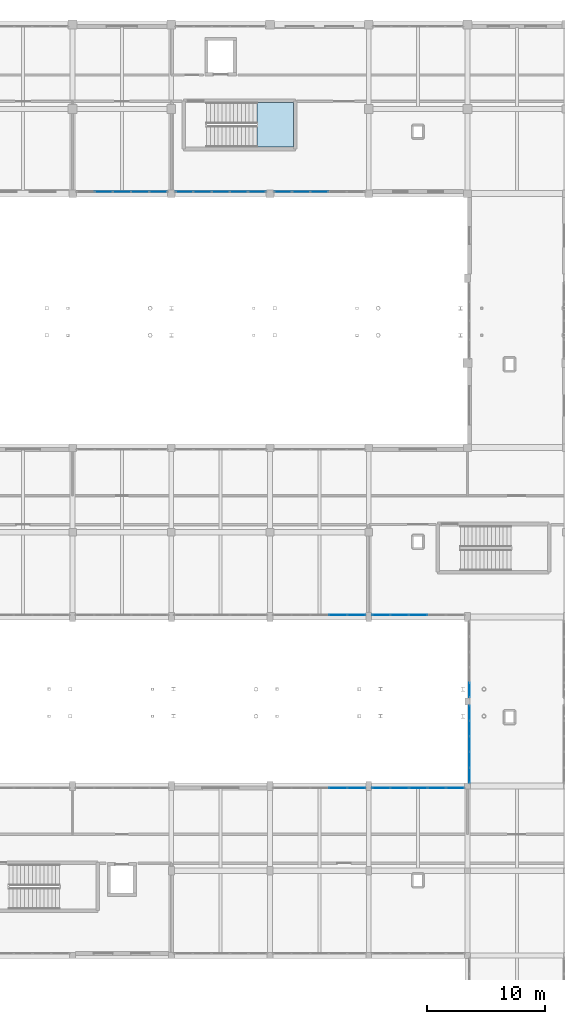
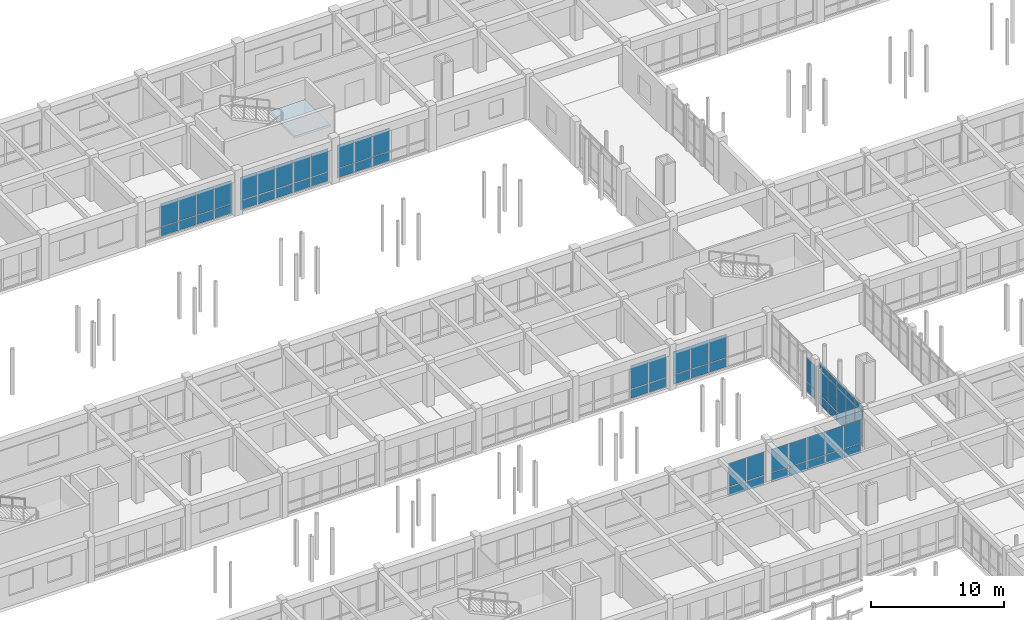
# One storey, part 109 of 147: 65 plates, 1 slab, 10 elements without a shape of their own.
"""IFC4 building model written with IfcOpenShell, lengths in metres."""

from ifc_helpers import new_model, si_unit, direction, frame, origin, origin_2d, place, context, subcontext, project, spatial, polyline, rectangle, outline, extrude, material, layer, layer_set, type_object, element, aggregate, save


model = new_model("IFC4")

# Units and contexts
model_context = context("Model", 3, precision=1e-05, world=origin(), true_north=direction((0.0, 1.0)))
body_context = subcontext(model_context, "Body", "Model", "MODEL_VIEW")
ifc_project = project(units=[si_unit("LENGTHUNIT", "METRE"), si_unit("AREAUNIT", "SQUARE_METRE"), si_unit("VOLUMEUNIT", "CUBIC_METRE"), si_unit("PLANEANGLEUNIT", "RADIAN"), si_unit("MASSUNIT", "GRAM", prefix="KILO")], contexts=[model_context])

# Site, building, storey
site_placement = place(None, origin())
site = spatial("IfcSite", under=ifc_project, at=site_placement, CompositionType="ELEMENT")
building_placement = place(site_placement, origin())
building = spatial("IfcBuilding", under=site, at=building_placement, Name="Malvenik Polytechnic", CompositionType="ELEMENT")
storey_placement = place(building_placement, frame((0.0, 0.0, 5.10009765625)))
storey = spatial("IfcBuildingStorey", under=building, at=storey_placement, Name="L01", CompositionType="ELEMENT", Elevation=5.10009765625)

# Curtain wall, plates
ifc_material_1 = material(Name="Anodised aluminium 6060-T6", Category="aluminium")
curtain_wall_type_1 = type_object("IfcCurtainWallType", Name="ARC-CW-CW-04", PredefinedType="NOTDEFINED", material=ifc_material_1)
curtain_wall_1_placement = place(storey_placement, origin())
curtain_wall_1 = element("IfcCurtainWall", 1, at=curtain_wall_1_placement, inside=storey, type_object=curtain_wall_type_1, Name="Unitised Curtain Wall CW-04 L01 #23", PredefinedType="NOTDEFINED")
ifc_material_2 = material(Name="Insulated low-E double glazing 8-16-8", Category="glass")
ifc_layer_1 = layer(ifc_material_2, 0.028076171875)
ifc_layer_set_1 = layer_set([ifc_layer_1], Name="Insulated low-E double glazing 8-16-8")
plate_type_1 = type_object("IfcPlateType", Name="ARC-CWP-CP-GLZ28", PredefinedType="CURTAIN_PANEL", material=ifc_layer_set_1)
plate_1_placement = place(storey_placement, frame((75.77001953125, 65.728515625, 0.97998046875), z_axis=(0.0, 0.0, 1.0), x_axis=(0.0, 1.0, 0.0)))
plate_1 = element("IfcPlate", 2, at=plate_1_placement, type_object=plate_type_1, Name="CW-04 panel 1.2", PredefinedType="CURTAIN_PANEL", context=body_context, shape_type="SweptSolid", body=[
    extrude(rectangle(XDim=1.24072265625, YDim=0.028076171875, at=origin_2d()), origin(), (0.0, 0.0, 1.0), 2.199951171875),
])
plate_2_placement = place(storey_placement, frame((75.77001953125, 65.728515625, 3.239990234375), z_axis=(0.0, 0.0, 1.0), x_axis=(0.0, 1.0, 0.0)))
plate_2 = element("IfcPlate", 3, at=plate_2_placement, type_object=plate_type_1, Name="CW-04 panel 1.3", PredefinedType="CURTAIN_PANEL", context=body_context, shape_type="SweptSolid", body=[
    extrude(rectangle(XDim=1.24072265625, YDim=0.028076171875, at=origin_2d()), origin(), (0.0, 0.0, 1.0), 0.56005859375),
])
plate_3_placement = place(storey_placement, frame((75.77001953125, 67.044189453125, 0.97998046875), z_axis=(0.0, 0.0, 1.0), x_axis=(0.0, 1.0, 0.0)))
plate_3 = element("IfcPlate", 4, at=plate_3_placement, type_object=plate_type_1, Name="CW-04 panel 2.2", PredefinedType="CURTAIN_PANEL", context=body_context, shape_type="SweptSolid", body=[
    extrude(rectangle(XDim=1.270751953125, YDim=0.028076171875, at=origin_2d()), origin(), (0.0, 0.0, 1.0), 2.199951171875),
])
plate_4_placement = place(storey_placement, frame((75.77001953125, 67.044189453125, 3.239990234375), z_axis=(0.0, 0.0, 1.0), x_axis=(0.0, 1.0, 0.0)))
plate_4 = element("IfcPlate", 5, at=plate_4_placement, type_object=plate_type_1, Name="CW-04 panel 2.3", PredefinedType="CURTAIN_PANEL", context=body_context, shape_type="SweptSolid", body=[
    extrude(rectangle(XDim=1.270751953125, YDim=0.028076171875, at=origin_2d()), origin(), (0.0, 0.0, 1.0), 0.56005859375),
])
plate_5_placement = place(storey_placement, frame((75.77001953125, 68.375, 0.97998046875), z_axis=(0.0, 0.0, 1.0), x_axis=(0.0, 1.0, 0.0)))
plate_5 = element("IfcPlate", 6, at=plate_5_placement, type_object=plate_type_1, Name="CW-04 panel 3.2", PredefinedType="CURTAIN_PANEL", context=body_context, shape_type="SweptSolid", body=[
    extrude(rectangle(XDim=1.270751953125, YDim=0.028076171875, at=origin_2d()), origin(), (0.0, 0.0, 1.0), 2.199951171875),
])
plate_6_placement = place(storey_placement, frame((75.77001953125, 68.375, 3.239990234375), z_axis=(0.0, 0.0, 1.0), x_axis=(0.0, 1.0, 0.0)))
plate_6 = element("IfcPlate", 7, at=plate_6_placement, type_object=plate_type_1, Name="CW-04 panel 3.3", PredefinedType="CURTAIN_PANEL", context=body_context, shape_type="SweptSolid", body=[
    extrude(rectangle(XDim=1.270751953125, YDim=0.028076171875, at=origin_2d()), origin(), (0.0, 0.0, 1.0), 0.56005859375),
])
plate_7_placement = place(storey_placement, frame((75.77001953125, 69.705810546875, 0.97998046875), z_axis=(0.0, 0.0, 1.0), x_axis=(0.0, 1.0, 0.0)))
plate_7 = element("IfcPlate", 8, at=plate_7_placement, type_object=plate_type_1, Name="CW-04 panel 4.2", PredefinedType="CURTAIN_PANEL", context=body_context, shape_type="SweptSolid", body=[
    extrude(rectangle(XDim=1.270751953125, YDim=0.028076171875, at=origin_2d()), origin(), (0.0, 0.0, 1.0), 2.199951171875),
])
plate_8_placement = place(storey_placement, frame((75.77001953125, 69.705810546875, 3.239990234375), z_axis=(0.0, 0.0, 1.0), x_axis=(0.0, 1.0, 0.0)))
plate_8 = element("IfcPlate", 9, at=plate_8_placement, type_object=plate_type_1, Name="CW-04 panel 4.3", PredefinedType="CURTAIN_PANEL", context=body_context, shape_type="SweptSolid", body=[
    extrude(rectangle(XDim=1.270751953125, YDim=0.028076171875, at=origin_2d()), origin(), (0.0, 0.0, 1.0), 0.56005859375),
])
plate_9_placement = place(storey_placement, frame((75.77001953125, 71.021484375, 0.97998046875), z_axis=(0.0, 0.0, 1.0), x_axis=(0.0, 1.0, 0.0)))
plate_9 = element("IfcPlate", 10, at=plate_9_placement, type_object=plate_type_1, Name="CW-04 panel 5.2", PredefinedType="CURTAIN_PANEL", context=body_context, shape_type="SweptSolid", body=[
    extrude(rectangle(XDim=1.24072265625, YDim=0.028076171875, at=origin_2d()), origin(), (0.0, 0.0, 1.0), 2.199951171875),
])
plate_10_placement = place(storey_placement, frame((75.77001953125, 71.021484375, 3.239990234375), z_axis=(0.0, 0.0, 1.0), x_axis=(0.0, 1.0, 0.0)))
plate_10 = element("IfcPlate", 11, at=plate_10_placement, type_object=plate_type_1, Name="CW-04 panel 5.3", PredefinedType="CURTAIN_PANEL", context=body_context, shape_type="SweptSolid", body=[
    extrude(rectangle(XDim=1.24072265625, YDim=0.028076171875, at=origin_2d()), origin(), (0.0, 0.0, 1.0), 0.56005859375),
])

# Curtain wall, plate
curtain_wall_2_placement = place(storey_placement, origin())
curtain_wall_2 = element("IfcCurtainWall", 12, at=curtain_wall_2_placement, inside=storey, type_object=curtain_wall_type_1, Name="Unitised Curtain Wall CW-04 L01 #24", PredefinedType="NOTDEFINED")
plate_11_placement = place(storey_placement, frame((75.77001953125, 72.9658203125, 0.97998046875), z_axis=(0.0, 0.0, 1.0), x_axis=(0.0, 1.0, 0.0)))
plate_11 = element("IfcPlate", 13, at=plate_11_placement, type_object=plate_type_1, Name="CW-04 panel 1.2", PredefinedType="CURTAIN_PANEL", context=body_context, shape_type="SweptSolid", body=[
    extrude(rectangle(XDim=1.2158203125, YDim=0.028076171875, at=origin_2d()), origin(), (0.0, 0.0, 1.0), 2.199951171875),
])

# Curtain wall, plates
curtain_wall_type_2 = type_object("IfcCurtainWallType", Name="ARC-CW-CW-02", PredefinedType="NOTDEFINED", material=ifc_material_1)
curtain_wall_3_placement = place(storey_placement, origin())
curtain_wall_3 = element("IfcCurtainWall", 14, at=curtain_wall_3_placement, inside=storey, type_object=curtain_wall_type_2, Name="Unitised Curtain Wall CW-02 L01 #25", PredefinedType="NOTDEFINED")
plate_12_placement = place(storey_placement, frame((71.39990234375, 79.3701171875, 0.929931640625), z_axis=(0.0, 0.0, 1.0), x_axis=(-1.0, 0.0, 0.0)))
plate_12 = element("IfcPlate", 15, at=plate_12_placement, type_object=plate_type_1, Name="CW-02 panel 3.2", PredefinedType="CURTAIN_PANEL", context=body_context, shape_type="SweptSolid", body=[
    extrude(rectangle(XDim=1.520751953125, YDim=0.028076171875, at=origin_2d()), origin(), (0.0, 0.0, 1.0), 2.1201171875),
])
plate_13_placement = place(storey_placement, frame((69.819091796875, 79.3701171875, 0.929931640625), z_axis=(0.0, 0.0, 1.0), x_axis=(-1.0, 0.0, 0.0)))
plate_13 = element("IfcPlate", 16, at=plate_13_placement, type_object=plate_type_1, Name="CW-02 panel 4.2", PredefinedType="CURTAIN_PANEL", context=body_context, shape_type="SweptSolid", body=[
    extrude(rectangle(XDim=1.520751953125, YDim=0.028076171875, at=origin_2d()), origin(), (0.0, 0.0, 1.0), 2.1201171875),
])
plate_14_placement = place(storey_placement, frame((68.25341796875, 79.3701171875, 0.929931640625), z_axis=(0.0, 0.0, 1.0), x_axis=(-1.0, 0.0, 0.0)))
plate_14 = element("IfcPlate", 17, at=plate_14_placement, type_object=plate_type_1, Name="CW-02 panel 5.2", PredefinedType="CURTAIN_PANEL", context=body_context, shape_type="SweptSolid", body=[
    extrude(rectangle(XDim=1.49072265625, YDim=0.028076171875, at=origin_2d()), origin(), (0.0, 0.0, 1.0), 2.1201171875),
])

curtain_wall_4_placement = place(storey_placement, origin())
curtain_wall_4 = element("IfcCurtainWall", 18, at=curtain_wall_4_placement, inside=storey, type_object=curtain_wall_type_2, Name="Unitised Curtain Wall CW-02 L01 #26", PredefinedType="NOTDEFINED")
plate_15_placement = place(storey_placement, frame((66.146484375, 79.3701171875, 0.929931640625), z_axis=(0.0, 0.0, 1.0), x_axis=(-1.0, 0.0, 0.0)))
plate_15 = element("IfcPlate", 19, at=plate_15_placement, type_object=plate_type_1, Name="CW-02 panel 1.2", PredefinedType="CURTAIN_PANEL", context=body_context, shape_type="SweptSolid", body=[
    extrude(rectangle(XDim=1.49072265625, YDim=0.028076171875, at=origin_2d()), origin(), (0.0, 0.0, 1.0), 2.1201171875),
])
plate_16_placement = place(storey_placement, frame((64.580810546875, 79.3701171875, 0.929931640625), z_axis=(0.0, 0.0, 1.0), x_axis=(-1.0, 0.0, 0.0)))
plate_16 = element("IfcPlate", 20, at=plate_16_placement, type_object=plate_type_1, Name="CW-02 panel 2.2", PredefinedType="CURTAIN_PANEL", context=body_context, shape_type="SweptSolid", body=[
    extrude(rectangle(XDim=1.520751953125, YDim=0.028076171875, at=origin_2d()), origin(), (0.0, 0.0, 1.0), 2.1201171875),
])

curtain_wall_5_placement = place(storey_placement, origin())
curtain_wall_5 = element("IfcCurtainWall", 21, at=curtain_wall_5_placement, inside=storey, type_object=curtain_wall_type_2, Name="Unitised Curtain Wall CW-02 L01 #39", PredefinedType="NOTDEFINED")
plate_17_placement = place(storey_placement, frame((63.0, 115.3701171875, 0.929931640625), z_axis=(0.0, 0.0, 1.0), x_axis=(-1.0, 0.0, 0.0)))
plate_17 = element("IfcPlate", 22, at=plate_17_placement, type_object=plate_type_1, Name="CW-02 panel 3.2", PredefinedType="CURTAIN_PANEL", context=body_context, shape_type="SweptSolid", body=[
    extrude(rectangle(XDim=1.49072265625, YDim=0.028076171875, at=origin_2d()), origin(), (0.0, 0.0, 1.0), 2.1201171875),
])
plate_18_placement = place(storey_placement, frame((61.44921875, 115.3701171875, 0.929931640625), z_axis=(0.0, 0.0, 1.0), x_axis=(-1.0, 0.0, 0.0)))
plate_18 = element("IfcPlate", 23, at=plate_18_placement, type_object=plate_type_1, Name="CW-02 panel 4.2", PredefinedType="CURTAIN_PANEL", context=body_context, shape_type="SweptSolid", body=[
    extrude(rectangle(XDim=1.49072265625, YDim=0.028076171875, at=origin_2d()), origin(), (0.0, 0.0, 1.0), 2.1201171875),
])
plate_19_placement = place(storey_placement, frame((59.913330078125, 115.3701171875, 0.929931640625), z_axis=(0.0, 0.0, 1.0), x_axis=(-1.0, 0.0, 0.0)))
plate_19 = element("IfcPlate", 24, at=plate_19_placement, type_object=plate_type_1, Name="CW-02 panel 5.2", PredefinedType="CURTAIN_PANEL", context=body_context, shape_type="SweptSolid", body=[
    extrude(rectangle(XDim=1.460693359375, YDim=0.028076171875, at=origin_2d()), origin(), (0.0, 0.0, 1.0), 2.1201171875),
])

curtain_wall_6_placement = place(storey_placement, origin())
curtain_wall_6 = element("IfcCurtainWall", 25, at=curtain_wall_6_placement, inside=storey, type_object=curtain_wall_type_2, Name="Unitised Curtain Wall CW-02 L01 #40", PredefinedType="NOTDEFINED")
plate_20_placement = place(storey_placement, frame((57.6865234375, 115.3701171875, 0.929931640625), z_axis=(0.0, 0.0, 1.0), x_axis=(-1.0, 0.0, 0.0)))
plate_20 = element("IfcPlate", 26, at=plate_20_placement, type_object=plate_type_1, Name="CW-02 panel 1.2", PredefinedType="CURTAIN_PANEL", context=body_context, shape_type="SweptSolid", body=[
    extrude(rectangle(XDim=1.460693359375, YDim=0.028076171875, at=origin_2d()), origin(), (0.0, 0.0, 1.0), 2.1201171875),
])
plate_21_placement = place(storey_placement, frame((56.15087890625, 115.3701171875, 0.929931640625), z_axis=(0.0, 0.0, 1.0), x_axis=(-1.0, 0.0, 0.0)))
plate_21 = element("IfcPlate", 27, at=plate_21_placement, type_object=plate_type_1, Name="CW-02 panel 2.2", PredefinedType="CURTAIN_PANEL", context=body_context, shape_type="SweptSolid", body=[
    extrude(rectangle(XDim=1.49072265625, YDim=0.028076171875, at=origin_2d()), origin(), (0.0, 0.0, 1.0), 2.1201171875),
])
plate_22_placement = place(storey_placement, frame((54.60009765625, 115.3701171875, 0.929931640625), z_axis=(0.0, 0.0, 1.0), x_axis=(-1.0, 0.0, 0.0)))
plate_22 = element("IfcPlate", 28, at=plate_22_placement, type_object=plate_type_1, Name="CW-02 panel 3.2", PredefinedType="CURTAIN_PANEL", context=body_context, shape_type="SweptSolid", body=[
    extrude(rectangle(XDim=1.49072265625, YDim=0.028076171875, at=origin_2d()), origin(), (0.0, 0.0, 1.0), 2.1201171875),
])
plate_23_placement = place(storey_placement, frame((53.04931640625, 115.3701171875, 0.929931640625), z_axis=(0.0, 0.0, 1.0), x_axis=(-1.0, 0.0, 0.0)))
plate_23 = element("IfcPlate", 29, at=plate_23_placement, type_object=plate_type_1, Name="CW-02 panel 4.2", PredefinedType="CURTAIN_PANEL", context=body_context, shape_type="SweptSolid", body=[
    extrude(rectangle(XDim=1.49072265625, YDim=0.028076171875, at=origin_2d()), origin(), (0.0, 0.0, 1.0), 2.1201171875),
])
plate_24_placement = place(storey_placement, frame((51.513427734375, 115.3701171875, 0.929931640625), z_axis=(0.0, 0.0, 1.0), x_axis=(-1.0, 0.0, 0.0)))
plate_24 = element("IfcPlate", 30, at=plate_24_placement, type_object=plate_type_1, Name="CW-02 panel 5.2", PredefinedType="CURTAIN_PANEL", context=body_context, shape_type="SweptSolid", body=[
    extrude(rectangle(XDim=1.460693359375, YDim=0.028076171875, at=origin_2d()), origin(), (0.0, 0.0, 1.0), 2.1201171875),
])

curtain_wall_7_placement = place(storey_placement, origin())
curtain_wall_7 = element("IfcCurtainWall", 31, at=curtain_wall_7_placement, inside=storey, type_object=curtain_wall_type_2, Name="Unitised Curtain Wall CW-02 L01 #41", PredefinedType="NOTDEFINED")
plate_25_placement = place(storey_placement, frame((49.28662109375, 115.3701171875, 0.929931640625), z_axis=(0.0, 0.0, 1.0), x_axis=(-1.0, 0.0, 0.0)))
plate_25 = element("IfcPlate", 32, at=plate_25_placement, type_object=plate_type_1, Name="CW-02 panel 1.2", PredefinedType="CURTAIN_PANEL", context=body_context, shape_type="SweptSolid", body=[
    extrude(rectangle(XDim=1.460693359375, YDim=0.028076171875, at=origin_2d()), origin(), (0.0, 0.0, 1.0), 2.1201171875),
])
plate_26_placement = place(storey_placement, frame((47.750732421875, 115.3701171875, 0.929931640625), z_axis=(0.0, 0.0, 1.0), x_axis=(-1.0, 0.0, 0.0)))
plate_26 = element("IfcPlate", 33, at=plate_26_placement, type_object=plate_type_1, Name="CW-02 panel 2.2", PredefinedType="CURTAIN_PANEL", context=body_context, shape_type="SweptSolid", body=[
    extrude(rectangle(XDim=1.49072265625, YDim=0.028076171875, at=origin_2d()), origin(), (0.0, 0.0, 1.0), 2.1201171875),
])
plate_27_placement = place(storey_placement, frame((46.199951171875, 115.3701171875, 0.929931640625), z_axis=(0.0, 0.0, 1.0), x_axis=(-1.0, 0.0, 0.0)))
plate_27 = element("IfcPlate", 34, at=plate_27_placement, type_object=plate_type_1, Name="CW-02 panel 3.2", PredefinedType="CURTAIN_PANEL", context=body_context, shape_type="SweptSolid", body=[
    extrude(rectangle(XDim=1.49072265625, YDim=0.028076171875, at=origin_2d()), origin(), (0.0, 0.0, 1.0), 2.1201171875),
])
plate_28_placement = place(storey_placement, frame((44.649169921875, 115.3701171875, 0.929931640625), z_axis=(0.0, 0.0, 1.0), x_axis=(-1.0, 0.0, 0.0)))
plate_28 = element("IfcPlate", 35, at=plate_28_placement, type_object=plate_type_1, Name="CW-02 panel 4.2", PredefinedType="CURTAIN_PANEL", context=body_context, shape_type="SweptSolid", body=[
    extrude(rectangle(XDim=1.49072265625, YDim=0.028076171875, at=origin_2d()), origin(), (0.0, 0.0, 1.0), 2.1201171875),
])

curtain_wall_8_placement = place(storey_placement, origin())
curtain_wall_8 = element("IfcCurtainWall", 36, at=curtain_wall_8_placement, inside=storey, type_object=curtain_wall_type_2, Name="Unitised Curtain Wall CW-02 L01 #128", PredefinedType="NOTDEFINED")
plate_29_placement = place(storey_placement, frame((64.580810546875, 64.6298828125, 0.929931640625), z_axis=(0.0, 0.0, 1.0), x_axis=(1.0, 0.0, 0.0)))
plate_29 = element("IfcPlate", 37, at=plate_29_placement, type_object=plate_type_1, Name="CW-02 panel 4.2", PredefinedType="CURTAIN_PANEL", context=body_context, shape_type="SweptSolid", body=[
    extrude(rectangle(XDim=1.520751953125, YDim=0.028076171875, at=origin_2d()), origin(), (0.0, 0.0, 1.0), 2.1201171875),
])
plate_30_placement = place(storey_placement, frame((66.146484375, 64.6298828125, 0.929931640625), z_axis=(0.0, 0.0, 1.0), x_axis=(1.0, 0.0, 0.0)))
plate_30 = element("IfcPlate", 38, at=plate_30_placement, type_object=plate_type_1, Name="CW-02 panel 5.2", PredefinedType="CURTAIN_PANEL", context=body_context, shape_type="SweptSolid", body=[
    extrude(rectangle(XDim=1.49072265625, YDim=0.028076171875, at=origin_2d()), origin(), (0.0, 0.0, 1.0), 2.1201171875),
])

curtain_wall_9_placement = place(storey_placement, origin())
curtain_wall_9 = element("IfcCurtainWall", 39, at=curtain_wall_9_placement, inside=storey, type_object=curtain_wall_type_2, Name="Unitised Curtain Wall CW-02 L01 #129", PredefinedType="NOTDEFINED")
plate_31_placement = place(storey_placement, frame((68.25341796875, 64.6298828125, 0.929931640625), z_axis=(0.0, 0.0, 1.0), x_axis=(1.0, 0.0, 0.0)))
plate_31 = element("IfcPlate", 40, at=plate_31_placement, type_object=plate_type_1, Name="CW-02 panel 1.2", PredefinedType="CURTAIN_PANEL", context=body_context, shape_type="SweptSolid", body=[
    extrude(rectangle(XDim=1.49072265625, YDim=0.028076171875, at=origin_2d()), origin(), (0.0, 0.0, 1.0), 2.1201171875),
])
plate_32_placement = place(storey_placement, frame((69.819091796875, 64.6298828125, 0.929931640625), z_axis=(0.0, 0.0, 1.0), x_axis=(1.0, 0.0, 0.0)))
plate_32 = element("IfcPlate", 41, at=plate_32_placement, type_object=plate_type_1, Name="CW-02 panel 2.2", PredefinedType="CURTAIN_PANEL", context=body_context, shape_type="SweptSolid", body=[
    extrude(rectangle(XDim=1.520751953125, YDim=0.028076171875, at=origin_2d()), origin(), (0.0, 0.0, 1.0), 2.1201171875),
])
plate_33_placement = place(storey_placement, frame((71.39990234375, 64.6298828125, 0.929931640625), z_axis=(0.0, 0.0, 1.0), x_axis=(1.0, 0.0, 0.0)))
plate_33 = element("IfcPlate", 42, at=plate_33_placement, type_object=plate_type_1, Name="CW-02 panel 3.2", PredefinedType="CURTAIN_PANEL", context=body_context, shape_type="SweptSolid", body=[
    extrude(rectangle(XDim=1.520751953125, YDim=0.028076171875, at=origin_2d()), origin(), (0.0, 0.0, 1.0), 2.1201171875),
])
plate_34_placement = place(storey_placement, frame((72.980712890625, 64.6298828125, 0.929931640625), z_axis=(0.0, 0.0, 1.0), x_axis=(1.0, 0.0, 0.0)))
plate_34 = element("IfcPlate", 43, at=plate_34_placement, type_object=plate_type_1, Name="CW-02 panel 4.2", PredefinedType="CURTAIN_PANEL", context=body_context, shape_type="SweptSolid", body=[
    extrude(rectangle(XDim=1.520751953125, YDim=0.028076171875, at=origin_2d()), origin(), (0.0, 0.0, 1.0), 2.1201171875),
])
plate_35_placement = place(storey_placement, frame((74.546630859375, 64.6298828125, 0.929931640625), z_axis=(0.0, 0.0, 1.0), x_axis=(1.0, 0.0, 0.0)))
plate_35 = element("IfcPlate", 44, at=plate_35_placement, type_object=plate_type_1, Name="CW-02 panel 5.2", PredefinedType="CURTAIN_PANEL", context=body_context, shape_type="SweptSolid", body=[
    extrude(rectangle(XDim=1.49072265625, YDim=0.028076171875, at=origin_2d()), origin(), (0.0, 0.0, 1.0), 2.1201171875),
])

# Plate
ifc_material_3 = material(Name="Insulated aluminium spandrel cassette 42mm", Category="aluminium")
ifc_layer_2 = layer(ifc_material_3, 0.0419921875)
ifc_layer_set_2 = layer_set([ifc_layer_2], Name="Insulated aluminium spandrel cassette 42mm")
plate_type_2 = type_object("IfcPlateType", Name="ARC-CWP-CP-SPN42", PredefinedType="CURTAIN_PANEL", material=ifc_layer_set_2)
plate_36_placement = place(storey_placement, frame((75.77001953125, 65.728515625, 0.06005859375), z_axis=(0.0, 0.0, 1.0), x_axis=(0.0, 1.0, 0.0)))
plate_36 = element("IfcPlate", 45, at=plate_36_placement, type_object=plate_type_2, Name="CW-04 panel 1.1", PredefinedType="CURTAIN_PANEL", context=body_context, shape_type="SweptSolid", body=[
    extrude(rectangle(XDim=1.24072265625, YDim=0.028076171875, at=origin_2d()), origin(), (0.0, 0.0, 1.0), 0.860107421875),
])

plate_37_placement = place(storey_placement, frame((75.77001953125, 67.044189453125, 0.06005859375), z_axis=(0.0, 0.0, 1.0), x_axis=(0.0, 1.0, 0.0)))
plate_37 = element("IfcPlate", 46, at=plate_37_placement, type_object=plate_type_2, Name="CW-04 panel 2.1", PredefinedType="CURTAIN_PANEL", context=body_context, shape_type="SweptSolid", body=[
    extrude(rectangle(XDim=1.270751953125, YDim=0.028076171875, at=origin_2d()), origin(), (0.0, 0.0, 1.0), 0.860107421875),
])

plate_38_placement = place(storey_placement, frame((75.77001953125, 68.375, 0.06005859375), z_axis=(0.0, 0.0, 1.0), x_axis=(0.0, 1.0, 0.0)))
plate_38 = element("IfcPlate", 47, at=plate_38_placement, type_object=plate_type_2, Name="CW-04 panel 3.1", PredefinedType="CURTAIN_PANEL", context=body_context, shape_type="SweptSolid", body=[
    extrude(rectangle(XDim=1.270751953125, YDim=0.028076171875, at=origin_2d()), origin(), (0.0, 0.0, 1.0), 0.860107421875),
])

plate_39_placement = place(storey_placement, frame((75.77001953125, 69.705810546875, 0.06005859375), z_axis=(0.0, 0.0, 1.0), x_axis=(0.0, 1.0, 0.0)))
plate_39 = element("IfcPlate", 48, at=plate_39_placement, type_object=plate_type_2, Name="CW-04 panel 4.1", PredefinedType="CURTAIN_PANEL", context=body_context, shape_type="SweptSolid", body=[
    extrude(rectangle(XDim=1.270751953125, YDim=0.028076171875, at=origin_2d()), origin(), (0.0, 0.0, 1.0), 0.860107421875),
])

plate_40_placement = place(storey_placement, frame((75.77001953125, 71.021484375, 0.06005859375), z_axis=(0.0, 0.0, 1.0), x_axis=(0.0, 1.0, 0.0)))
plate_40 = element("IfcPlate", 49, at=plate_40_placement, type_object=plate_type_2, Name="CW-04 panel 5.1", PredefinedType="CURTAIN_PANEL", context=body_context, shape_type="SweptSolid", body=[
    extrude(rectangle(XDim=1.24072265625, YDim=0.028076171875, at=origin_2d()), origin(), (0.0, 0.0, 1.0), 0.860107421875),
])

aggregate(curtain_wall_1, [plate_36, plate_1, plate_2, plate_37, plate_3, plate_4, plate_38, plate_5, plate_6, plate_39, plate_7, plate_8, plate_40, plate_9, plate_10])

plate_41_placement = place(storey_placement, frame((75.77001953125, 72.9658203125, 0.06005859375), z_axis=(0.0, 0.0, 1.0), x_axis=(0.0, 1.0, 0.0)))
plate_41 = element("IfcPlate", 50, at=plate_41_placement, type_object=plate_type_2, Name="CW-04 panel 1.1", PredefinedType="CURTAIN_PANEL", context=body_context, shape_type="SweptSolid", body=[
    extrude(rectangle(XDim=1.2158203125, YDim=0.028076171875, at=origin_2d()), origin(), (0.0, 0.0, 1.0), 0.860107421875),
])

aggregate(curtain_wall_2, [plate_41, plate_11])

plate_42_placement = place(storey_placement, frame((71.39990234375, 79.3701171875, 0.059814453125), z_axis=(0.0, 0.0, 1.0), x_axis=(-1.0, 0.0, 0.0)))
plate_42 = element("IfcPlate", 51, at=plate_42_placement, type_object=plate_type_2, Name="CW-02 panel 3.1", PredefinedType="CURTAIN_PANEL", context=body_context, shape_type="SweptSolid", body=[
    extrude(rectangle(XDim=1.520751953125, YDim=0.028076171875, at=origin_2d()), origin(), (0.0, 0.0, 1.0), 0.81005859375),
])

plate_43_placement = place(storey_placement, frame((69.819091796875, 79.3701171875, 0.059814453125), z_axis=(0.0, 0.0, 1.0), x_axis=(-1.0, 0.0, 0.0)))
plate_43 = element("IfcPlate", 52, at=plate_43_placement, type_object=plate_type_2, Name="CW-02 panel 4.1", PredefinedType="CURTAIN_PANEL", context=body_context, shape_type="SweptSolid", body=[
    extrude(rectangle(XDim=1.520751953125, YDim=0.028076171875, at=origin_2d()), origin(), (0.0, 0.0, 1.0), 0.81005859375),
])

plate_44_placement = place(storey_placement, frame((68.25341796875, 79.3701171875, 0.059814453125), z_axis=(0.0, 0.0, 1.0), x_axis=(-1.0, 0.0, 0.0)))
plate_44 = element("IfcPlate", 53, at=plate_44_placement, type_object=plate_type_2, Name="CW-02 panel 5.1", PredefinedType="CURTAIN_PANEL", context=body_context, shape_type="SweptSolid", body=[
    extrude(rectangle(XDim=1.49072265625, YDim=0.028076171875, at=origin_2d()), origin(), (0.0, 0.0, 1.0), 0.81005859375),
])

aggregate(curtain_wall_3, [plate_42, plate_12, plate_43, plate_13, plate_44, plate_14])

plate_45_placement = place(storey_placement, frame((66.146484375, 79.3701171875, 0.059814453125), z_axis=(0.0, 0.0, 1.0), x_axis=(-1.0, 0.0, 0.0)))
plate_45 = element("IfcPlate", 54, at=plate_45_placement, type_object=plate_type_2, Name="CW-02 panel 1.1", PredefinedType="CURTAIN_PANEL", context=body_context, shape_type="SweptSolid", body=[
    extrude(rectangle(XDim=1.49072265625, YDim=0.028076171875, at=origin_2d()), origin(), (0.0, 0.0, 1.0), 0.81005859375),
])

plate_46_placement = place(storey_placement, frame((64.580810546875, 79.3701171875, 0.059814453125), z_axis=(0.0, 0.0, 1.0), x_axis=(-1.0, 0.0, 0.0)))
plate_46 = element("IfcPlate", 55, at=plate_46_placement, type_object=plate_type_2, Name="CW-02 panel 2.1", PredefinedType="CURTAIN_PANEL", context=body_context, shape_type="SweptSolid", body=[
    extrude(rectangle(XDim=1.520751953125, YDim=0.028076171875, at=origin_2d()), origin(), (0.0, 0.0, 1.0), 0.81005859375),
])

aggregate(curtain_wall_4, [plate_45, plate_15, plate_46, plate_16])

plate_47_placement = place(storey_placement, frame((63.0, 115.3701171875, 0.059814453125), z_axis=(0.0, 0.0, 1.0), x_axis=(-1.0, 0.0, 0.0)))
plate_47 = element("IfcPlate", 56, at=plate_47_placement, type_object=plate_type_2, Name="CW-02 panel 3.1", PredefinedType="CURTAIN_PANEL", context=body_context, shape_type="SweptSolid", body=[
    extrude(rectangle(XDim=1.49072265625, YDim=0.028076171875, at=origin_2d()), origin(), (0.0, 0.0, 1.0), 0.81005859375),
])

plate_48_placement = place(storey_placement, frame((61.44921875, 115.3701171875, 0.059814453125), z_axis=(0.0, 0.0, 1.0), x_axis=(-1.0, 0.0, 0.0)))
plate_48 = element("IfcPlate", 57, at=plate_48_placement, type_object=plate_type_2, Name="CW-02 panel 4.1", PredefinedType="CURTAIN_PANEL", context=body_context, shape_type="SweptSolid", body=[
    extrude(rectangle(XDim=1.49072265625, YDim=0.028076171875, at=origin_2d()), origin(), (0.0, 0.0, 1.0), 0.81005859375),
])

plate_49_placement = place(storey_placement, frame((59.913330078125, 115.3701171875, 0.059814453125), z_axis=(0.0, 0.0, 1.0), x_axis=(-1.0, 0.0, 0.0)))
plate_49 = element("IfcPlate", 58, at=plate_49_placement, type_object=plate_type_2, Name="CW-02 panel 5.1", PredefinedType="CURTAIN_PANEL", context=body_context, shape_type="SweptSolid", body=[
    extrude(rectangle(XDim=1.460693359375, YDim=0.028076171875, at=origin_2d()), origin(), (0.0, 0.0, 1.0), 0.81005859375),
])

aggregate(curtain_wall_5, [plate_47, plate_17, plate_48, plate_18, plate_49, plate_19])

plate_50_placement = place(storey_placement, frame((57.6865234375, 115.3701171875, 0.059814453125), z_axis=(0.0, 0.0, 1.0), x_axis=(-1.0, 0.0, 0.0)))
plate_50 = element("IfcPlate", 59, at=plate_50_placement, type_object=plate_type_2, Name="CW-02 panel 1.1", PredefinedType="CURTAIN_PANEL", context=body_context, shape_type="SweptSolid", body=[
    extrude(rectangle(XDim=1.460693359375, YDim=0.028076171875, at=origin_2d()), origin(), (0.0, 0.0, 1.0), 0.81005859375),
])

plate_51_placement = place(storey_placement, frame((56.15087890625, 115.3701171875, 0.059814453125), z_axis=(0.0, 0.0, 1.0), x_axis=(-1.0, 0.0, 0.0)))
plate_51 = element("IfcPlate", 60, at=plate_51_placement, type_object=plate_type_2, Name="CW-02 panel 2.1", PredefinedType="CURTAIN_PANEL", context=body_context, shape_type="SweptSolid", body=[
    extrude(rectangle(XDim=1.49072265625, YDim=0.028076171875, at=origin_2d()), origin(), (0.0, 0.0, 1.0), 0.81005859375),
])

plate_52_placement = place(storey_placement, frame((54.60009765625, 115.3701171875, 0.059814453125), z_axis=(0.0, 0.0, 1.0), x_axis=(-1.0, 0.0, 0.0)))
plate_52 = element("IfcPlate", 61, at=plate_52_placement, type_object=plate_type_2, Name="CW-02 panel 3.1", PredefinedType="CURTAIN_PANEL", context=body_context, shape_type="SweptSolid", body=[
    extrude(rectangle(XDim=1.49072265625, YDim=0.028076171875, at=origin_2d()), origin(), (0.0, 0.0, 1.0), 0.81005859375),
])

plate_53_placement = place(storey_placement, frame((53.04931640625, 115.3701171875, 0.059814453125), z_axis=(0.0, 0.0, 1.0), x_axis=(-1.0, 0.0, 0.0)))
plate_53 = element("IfcPlate", 62, at=plate_53_placement, type_object=plate_type_2, Name="CW-02 panel 4.1", PredefinedType="CURTAIN_PANEL", context=body_context, shape_type="SweptSolid", body=[
    extrude(rectangle(XDim=1.49072265625, YDim=0.028076171875, at=origin_2d()), origin(), (0.0, 0.0, 1.0), 0.81005859375),
])

plate_54_placement = place(storey_placement, frame((51.513427734375, 115.3701171875, 0.059814453125), z_axis=(0.0, 0.0, 1.0), x_axis=(-1.0, 0.0, 0.0)))
plate_54 = element("IfcPlate", 63, at=plate_54_placement, type_object=plate_type_2, Name="CW-02 panel 5.1", PredefinedType="CURTAIN_PANEL", context=body_context, shape_type="SweptSolid", body=[
    extrude(rectangle(XDim=1.460693359375, YDim=0.028076171875, at=origin_2d()), origin(), (0.0, 0.0, 1.0), 0.81005859375),
])

aggregate(curtain_wall_6, [plate_50, plate_20, plate_51, plate_21, plate_52, plate_22, plate_53, plate_23, plate_54, plate_24])

plate_55_placement = place(storey_placement, frame((49.28662109375, 115.3701171875, 0.059814453125), z_axis=(0.0, 0.0, 1.0), x_axis=(-1.0, 0.0, 0.0)))
plate_55 = element("IfcPlate", 64, at=plate_55_placement, type_object=plate_type_2, Name="CW-02 panel 1.1", PredefinedType="CURTAIN_PANEL", context=body_context, shape_type="SweptSolid", body=[
    extrude(rectangle(XDim=1.460693359375, YDim=0.028076171875, at=origin_2d()), origin(), (0.0, 0.0, 1.0), 0.81005859375),
])

plate_56_placement = place(storey_placement, frame((47.750732421875, 115.3701171875, 0.059814453125), z_axis=(0.0, 0.0, 1.0), x_axis=(-1.0, 0.0, 0.0)))
plate_56 = element("IfcPlate", 65, at=plate_56_placement, type_object=plate_type_2, Name="CW-02 panel 2.1", PredefinedType="CURTAIN_PANEL", context=body_context, shape_type="SweptSolid", body=[
    extrude(rectangle(XDim=1.49072265625, YDim=0.028076171875, at=origin_2d()), origin(), (0.0, 0.0, 1.0), 0.81005859375),
])

plate_57_placement = place(storey_placement, frame((46.199951171875, 115.3701171875, 0.059814453125), z_axis=(0.0, 0.0, 1.0), x_axis=(-1.0, 0.0, 0.0)))
plate_57 = element("IfcPlate", 66, at=plate_57_placement, type_object=plate_type_2, Name="CW-02 panel 3.1", PredefinedType="CURTAIN_PANEL", context=body_context, shape_type="SweptSolid", body=[
    extrude(rectangle(XDim=1.49072265625, YDim=0.028076171875, at=origin_2d()), origin(), (0.0, 0.0, 1.0), 0.81005859375),
])

plate_58_placement = place(storey_placement, frame((44.649169921875, 115.3701171875, 0.059814453125), z_axis=(0.0, 0.0, 1.0), x_axis=(-1.0, 0.0, 0.0)))
plate_58 = element("IfcPlate", 67, at=plate_58_placement, type_object=plate_type_2, Name="CW-02 panel 4.1", PredefinedType="CURTAIN_PANEL", context=body_context, shape_type="SweptSolid", body=[
    extrude(rectangle(XDim=1.49072265625, YDim=0.028076171875, at=origin_2d()), origin(), (0.0, 0.0, 1.0), 0.81005859375),
])

aggregate(curtain_wall_7, [plate_55, plate_25, plate_56, plate_26, plate_57, plate_27, plate_58, plate_28])

plate_59_placement = place(storey_placement, frame((64.580810546875, 64.6298828125, 0.059814453125), z_axis=(0.0, 0.0, 1.0), x_axis=(1.0, 0.0, 0.0)))
plate_59 = element("IfcPlate", 68, at=plate_59_placement, type_object=plate_type_2, Name="CW-02 panel 4.1", PredefinedType="CURTAIN_PANEL", context=body_context, shape_type="SweptSolid", body=[
    extrude(rectangle(XDim=1.520751953125, YDim=0.028076171875, at=origin_2d()), origin(), (0.0, 0.0, 1.0), 0.81005859375),
])

plate_60_placement = place(storey_placement, frame((66.146484375, 64.6298828125, 0.059814453125), z_axis=(0.0, 0.0, 1.0), x_axis=(1.0, 0.0, 0.0)))
plate_60 = element("IfcPlate", 69, at=plate_60_placement, type_object=plate_type_2, Name="CW-02 panel 5.1", PredefinedType="CURTAIN_PANEL", context=body_context, shape_type="SweptSolid", body=[
    extrude(rectangle(XDim=1.49072265625, YDim=0.028076171875, at=origin_2d()), origin(), (0.0, 0.0, 1.0), 0.81005859375),
])

aggregate(curtain_wall_8, [plate_59, plate_29, plate_60, plate_30])

plate_61_placement = place(storey_placement, frame((68.25341796875, 64.6298828125, 0.059814453125), z_axis=(0.0, 0.0, 1.0), x_axis=(1.0, 0.0, 0.0)))
plate_61 = element("IfcPlate", 70, at=plate_61_placement, type_object=plate_type_2, Name="CW-02 panel 1.1", PredefinedType="CURTAIN_PANEL", context=body_context, shape_type="SweptSolid", body=[
    extrude(rectangle(XDim=1.49072265625, YDim=0.028076171875, at=origin_2d()), origin(), (0.0, 0.0, 1.0), 0.81005859375),
])

plate_62_placement = place(storey_placement, frame((69.819091796875, 64.6298828125, 0.059814453125), z_axis=(0.0, 0.0, 1.0), x_axis=(1.0, 0.0, 0.0)))
plate_62 = element("IfcPlate", 71, at=plate_62_placement, type_object=plate_type_2, Name="CW-02 panel 2.1", PredefinedType="CURTAIN_PANEL", context=body_context, shape_type="SweptSolid", body=[
    extrude(rectangle(XDim=1.520751953125, YDim=0.028076171875, at=origin_2d()), origin(), (0.0, 0.0, 1.0), 0.81005859375),
])

plate_63_placement = place(storey_placement, frame((71.39990234375, 64.6298828125, 0.059814453125), z_axis=(0.0, 0.0, 1.0), x_axis=(1.0, 0.0, 0.0)))
plate_63 = element("IfcPlate", 72, at=plate_63_placement, type_object=plate_type_2, Name="CW-02 panel 3.1", PredefinedType="CURTAIN_PANEL", context=body_context, shape_type="SweptSolid", body=[
    extrude(rectangle(XDim=1.520751953125, YDim=0.028076171875, at=origin_2d()), origin(), (0.0, 0.0, 1.0), 0.81005859375),
])

plate_64_placement = place(storey_placement, frame((72.980712890625, 64.6298828125, 0.059814453125), z_axis=(0.0, 0.0, 1.0), x_axis=(1.0, 0.0, 0.0)))
plate_64 = element("IfcPlate", 73, at=plate_64_placement, type_object=plate_type_2, Name="CW-02 panel 4.1", PredefinedType="CURTAIN_PANEL", context=body_context, shape_type="SweptSolid", body=[
    extrude(rectangle(XDim=1.520751953125, YDim=0.028076171875, at=origin_2d()), origin(), (0.0, 0.0, 1.0), 0.81005859375),
])

plate_65_placement = place(storey_placement, frame((74.546630859375, 64.6298828125, 0.059814453125), z_axis=(0.0, 0.0, 1.0), x_axis=(1.0, 0.0, 0.0)))
plate_65 = element("IfcPlate", 74, at=plate_65_placement, type_object=plate_type_2, Name="CW-02 panel 5.1", PredefinedType="CURTAIN_PANEL", context=body_context, shape_type="SweptSolid", body=[
    extrude(rectangle(XDim=1.49072265625, YDim=0.028076171875, at=origin_2d()), origin(), (0.0, 0.0, 1.0), 0.81005859375),
])

aggregate(curtain_wall_9, [plate_61, plate_31, plate_62, plate_32, plate_63, plate_33, plate_64, plate_34, plate_65, plate_35])

# Stair, slab
ifc_material_4 = material(Name="Concrete C35/45", Category="concrete")
stair_type = type_object("IfcStairType", Name="ARC-STR-ST-02", PredefinedType="HALF_TURN_STAIR", material=ifc_material_4)
stair_placement = place(storey_placement, origin())
stair = element("IfcStair", 75, at=stair_placement, inside=storey, type_object=stair_type, Name="L01 Escape Stair ST-02", PredefinedType="HALF_TURN_STAIR")
ifc_layer_3 = layer(ifc_material_4, 0.199951171875)
ifc_layer_set_3 = layer_set([ifc_layer_3], Name="Concrete C35/45")
slab_type = type_object("IfcSlabType", Name="ARC-SLB-STLND", PredefinedType="LANDING", material=ifc_layer_set_3)
slab_placement = place(storey_placement, frame((0.0, 0.0, 1.89990234375)))
slab = element("IfcSlab", 76, at=slab_placement, type_object=slab_type, Name="ST-02 landing 1", PredefinedType="LANDING", context=body_context, shape_type="SweptSolid", body=[
    extrude(outline(polyline([(57.68994140625, 119.14990234375), (60.800048828125, 119.14990234375), (60.800048828125, 122.949951171875), (57.68994140625, 122.949951171875), (57.68994140625, 119.14990234375)])), origin(), (0.0, 0.0, 1.0), 0.199951171875),
])
aggregate(stair, [slab])

save(model, "model.ifc")
